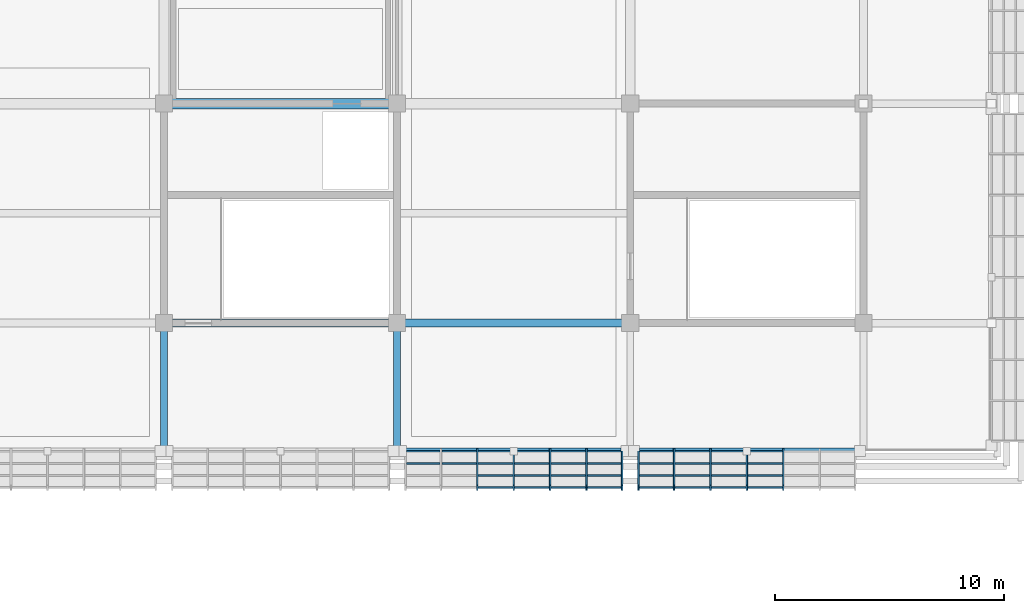
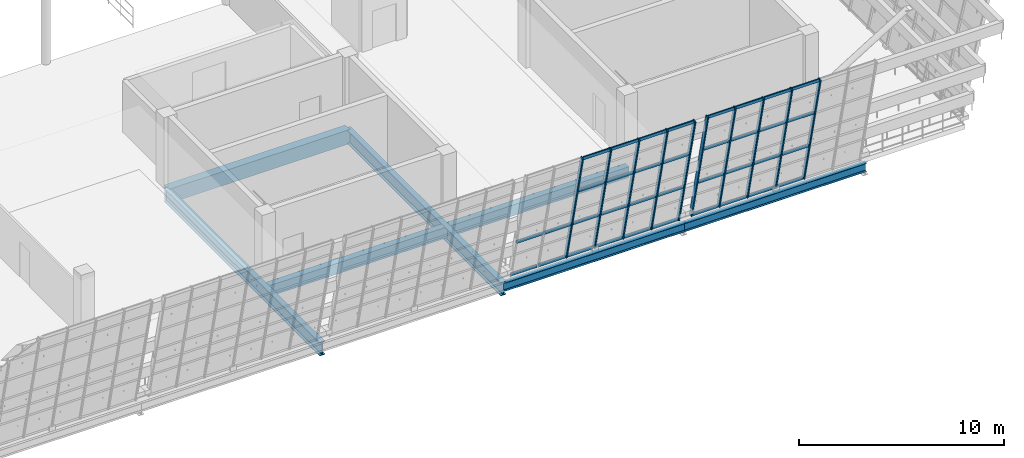
# One storey, part 64 of 157: 46 members, 7 beams, 2 elements without a shape of their own.
"""IFC4 building model written with IfcOpenShell, lengths in metres."""

from ifc_helpers import new_model, si_unit, direction, frame, origin, origin_2d, place, context, subcontext, project, spatial, rectangle, hollow_rectangle, i_section, extrude, material, material_profile, profile_set, type_object, element, aggregate, save


model = new_model("IFC4")

# Units and contexts
model_context = context("Model", 3, precision=1e-05, world=origin(), true_north=direction((0.0, 1.0)))
body_context = subcontext(model_context, "Body", "Model", "MODEL_VIEW")
ifc_project = project(units=[si_unit("LENGTHUNIT", "METRE"), si_unit("AREAUNIT", "SQUARE_METRE"), si_unit("VOLUMEUNIT", "CUBIC_METRE"), si_unit("PLANEANGLEUNIT", "RADIAN"), si_unit("MASSUNIT", "GRAM", prefix="KILO")], contexts=[model_context])

# Site, building, storey
site_placement = place(None, origin())
site = spatial("IfcSite", under=ifc_project, at=site_placement, CompositionType="ELEMENT")
building_placement = place(site_placement, origin())
building = spatial("IfcBuilding", under=site, at=building_placement, Name="Brelvane Convention Centre", CompositionType="ELEMENT")
storey_placement = place(building_placement, frame((0.0, 0.0, 10.800048828125)))
storey = spatial("IfcBuildingStorey", under=building, at=storey_placement, Name="L02", CompositionType="ELEMENT", Elevation=10.800048828125)

# Curtain wall, members
ifc_material_1 = material(Name="Anodised Aluminium Alloy 6063-T6", Category="aluminium")
curtain_wall_type = type_object("IfcCurtainWallType", Name="Curtain Wall CW-HULL-S", PredefinedType="USERDEFINED", material=ifc_material_1)
curtain_wall_1_placement = place(storey_placement, origin())
curtain_wall_1 = element("IfcCurtainWall", 1, at=curtain_wall_1_placement, inside=storey, type_object=curtain_wall_type, Name="Curtain Wall CW-HULL-S L02-HULL-S-L02-21", ObjectType="UNITISED", PredefinedType="USERDEFINED")
ifc_material_2 = material(Name="Anodised Aluminium Alloy 6063-T6", Category="aluminium")
ifc_material_profile_1 = material_profile(ifc_material_2, hollow_rectangle(XDim=0.080078125, YDim=0.239990234375, WallThickness=0.006103515625, InnerFilletRadius=0.006103515625, OuterFilletRadius=0.011962890625, at=origin_2d()), Name="ALU-M 240x80x6.0")
ifc_profile_set_1 = profile_set([ifc_material_profile_1], Name="Anodised Aluminium Alloy 6063-T6")
member_type_1 = type_object("IfcMemberType", Name="Curtain Mullion CW-M1", PredefinedType="MULLION", material=ifc_profile_set_1)
member_1_placement = place(storey_placement, frame((207.506591796875, 13.60009765625, 0.0), z_axis=(0.0, -0.228360410362, 0.973576665178), x_axis=(1.0, 0.0, 0.0)))
member_1 = element("IfcMember", 2, at=member_1_placement, type_object=member_type_1, Name="CW-HULL-S mullion 3", PredefinedType="MULLION", context=body_context, shape_type="SweptSolid", body=[
    extrude(hollow_rectangle(XDim=0.080078125, YDim=0.239990234375, WallThickness=0.006103515625, InnerFilletRadius=0.006103515625, OuterFilletRadius=0.011962890625, at=origin_2d()), origin(), (0.0, 0.0, 1.0), 7.03564453125),
])
member_2_placement = place(storey_placement, frame((209.10009765625, 13.60009765625, 0.0), z_axis=(0.0, -0.228360410362, 0.973576665178), x_axis=(1.0, 0.0, 0.0)))
member_2 = element("IfcMember", 3, at=member_2_placement, type_object=member_type_1, Name="CW-HULL-S mullion 4", PredefinedType="MULLION", context=body_context, shape_type="SweptSolid", body=[
    extrude(hollow_rectangle(XDim=0.080078125, YDim=0.239990234375, WallThickness=0.006103515625, InnerFilletRadius=0.006103515625, OuterFilletRadius=0.011962890625, at=origin_2d()), origin(), (0.0, 0.0, 1.0), 7.03564453125),
])
member_3_placement = place(storey_placement, frame((210.693359375, 13.60009765625, 0.0), z_axis=(0.0, -0.228360410362, 0.973576665178), x_axis=(1.0, 0.0, 0.0)))
member_3 = element("IfcMember", 4, at=member_3_placement, type_object=member_type_1, Name="CW-HULL-S mullion 5", PredefinedType="MULLION", context=body_context, shape_type="SweptSolid", body=[
    extrude(hollow_rectangle(XDim=0.080078125, YDim=0.239990234375, WallThickness=0.006103515625, InnerFilletRadius=0.006103515625, OuterFilletRadius=0.011962890625, at=origin_2d()), origin(), (0.0, 0.0, 1.0), 7.03564453125),
])
member_4_placement = place(storey_placement, frame((212.28662109375, 13.60009765625, 0.0), z_axis=(0.0, -0.228360410362, 0.973576665178), x_axis=(1.0, 0.0, 0.0)))
member_4 = element("IfcMember", 5, at=member_4_placement, type_object=member_type_1, Name="CW-HULL-S mullion 6", PredefinedType="MULLION", context=body_context, shape_type="SweptSolid", body=[
    extrude(hollow_rectangle(XDim=0.080078125, YDim=0.239990234375, WallThickness=0.006103515625, InnerFilletRadius=0.006103515625, OuterFilletRadius=0.011962890625, at=origin_2d()), origin(), (0.0, 0.0, 1.0), 7.03564453125),
])
member_5_placement = place(storey_placement, frame((213.840087890625, 13.60009765625, 0.0), z_axis=(0.0, -0.228360410362, 0.973576665178), x_axis=(1.0, 0.0, 0.0)))
member_5 = element("IfcMember", 6, at=member_5_placement, type_object=member_type_1, Name="CW-HULL-S mullion 7", PredefinedType="MULLION", context=body_context, shape_type="SweptSolid", body=[
    extrude(hollow_rectangle(XDim=0.080078125, YDim=0.239990234375, WallThickness=0.006103515625, InnerFilletRadius=0.006103515625, OuterFilletRadius=0.011962890625, at=origin_2d()), origin(), (0.0, 0.0, 1.0), 7.03564453125),
])

curtain_wall_2_placement = place(storey_placement, origin())
curtain_wall_2 = element("IfcCurtainWall", 7, at=curtain_wall_2_placement, inside=storey, type_object=curtain_wall_type, Name="Curtain Wall CW-HULL-S L02-HULL-S-L02-22", ObjectType="UNITISED", PredefinedType="USERDEFINED")
member_6_placement = place(storey_placement, frame((214.56005859375, 13.60009765625, 0.0), z_axis=(0.0, -0.228360410362, 0.973576665178), x_axis=(1.0, 0.0, 0.0)))
member_6 = element("IfcMember", 8, at=member_6_placement, type_object=member_type_1, Name="CW-HULL-S mullion 1", PredefinedType="MULLION", context=body_context, shape_type="SweptSolid", body=[
    extrude(hollow_rectangle(XDim=0.080078125, YDim=0.239990234375, WallThickness=0.006103515625, InnerFilletRadius=0.006103515625, OuterFilletRadius=0.011962890625, at=origin_2d()), origin(), (0.0, 0.0, 1.0), 7.03564453125),
])
member_7_placement = place(storey_placement, frame((216.11328125, 13.60009765625, 0.0), z_axis=(0.0, -0.228360410362, 0.973576665178), x_axis=(1.0, 0.0, 0.0)))
member_7 = element("IfcMember", 9, at=member_7_placement, type_object=member_type_1, Name="CW-HULL-S mullion 2", PredefinedType="MULLION", context=body_context, shape_type="SweptSolid", body=[
    extrude(hollow_rectangle(XDim=0.080078125, YDim=0.239990234375, WallThickness=0.006103515625, InnerFilletRadius=0.006103515625, OuterFilletRadius=0.011962890625, at=origin_2d()), origin(), (0.0, 0.0, 1.0), 7.03564453125),
])
member_8_placement = place(storey_placement, frame((217.706787109375, 13.60009765625, 0.0), z_axis=(0.0, -0.228360410362, 0.973576665178), x_axis=(1.0, 0.0, 0.0)))
member_8 = element("IfcMember", 10, at=member_8_placement, type_object=member_type_1, Name="CW-HULL-S mullion 3", PredefinedType="MULLION", context=body_context, shape_type="SweptSolid", body=[
    extrude(hollow_rectangle(XDim=0.080078125, YDim=0.239990234375, WallThickness=0.006103515625, InnerFilletRadius=0.006103515625, OuterFilletRadius=0.011962890625, at=origin_2d()), origin(), (0.0, 0.0, 1.0), 7.03564453125),
])
member_9_placement = place(storey_placement, frame((219.300048828125, 13.60009765625, 0.0), z_axis=(0.0, -0.228360410362, 0.973576665178), x_axis=(1.0, 0.0, 0.0)))
member_9 = element("IfcMember", 11, at=member_9_placement, type_object=member_type_1, Name="CW-HULL-S mullion 4", PredefinedType="MULLION", context=body_context, shape_type="SweptSolid", body=[
    extrude(hollow_rectangle(XDim=0.080078125, YDim=0.239990234375, WallThickness=0.006103515625, InnerFilletRadius=0.006103515625, OuterFilletRadius=0.011962890625, at=origin_2d()), origin(), (0.0, 0.0, 1.0), 7.03564453125),
])
member_10_placement = place(storey_placement, frame((220.893310546875, 13.60009765625, 0.0), z_axis=(0.0, -0.228360410362, 0.973576665178), x_axis=(1.0, 0.0, 0.0)))
member_10 = element("IfcMember", 12, at=member_10_placement, type_object=member_type_1, Name="CW-HULL-S mullion 5", PredefinedType="MULLION", context=body_context, shape_type="SweptSolid", body=[
    extrude(hollow_rectangle(XDim=0.080078125, YDim=0.239990234375, WallThickness=0.006103515625, InnerFilletRadius=0.006103515625, OuterFilletRadius=0.011962890625, at=origin_2d()), origin(), (0.0, 0.0, 1.0), 7.03564453125),
])

# Member
ifc_material_3 = material(Name="Anodised Aluminium Alloy 6063-T6", Category="aluminium")
ifc_material_profile_2 = material_profile(ifc_material_3, hollow_rectangle(XDim=0.080078125, YDim=0.179931640625, WallThickness=0.0048828125, InnerFilletRadius=0.0048828125, OuterFilletRadius=0.010009765625, at=origin_2d()), Name="ALU-T 180x80x5.0")
ifc_profile_set_2 = profile_set([ifc_material_profile_2], Name="Anodised Aluminium Alloy 6063-T6")
member_type_2 = type_object("IfcMemberType", Name="Curtain Transom CW-T1", PredefinedType="USERDEFINED", material=ifc_profile_set_2)
member_11_placement = place(storey_placement, frame((204.39990234375, 13.590576171875, 0.0400390625), z_axis=(1.0, 0.0, 0.0), x_axis=(0.0, 1.0, 0.0)))
member_11 = element("IfcMember", 13, at=member_11_placement, type_object=member_type_2, Name="CW-HULL-S transom 1.1", ObjectType="TRANSOM", PredefinedType="USERDEFINED", context=body_context, shape_type="SweptSolid", body=[
    extrude(hollow_rectangle(XDim=0.080078125, YDim=0.179931640625, WallThickness=0.0048828125, InnerFilletRadius=0.0048828125, OuterFilletRadius=0.010009765625, at=origin_2d()), origin(), (0.0, 0.0, 1.0), 1.473388671875),
])

member_12_placement = place(storey_placement, frame((204.39990234375, 13.064453125, 2.283203125), z_axis=(1.0, 0.0, 0.0), x_axis=(0.0, 1.0, 0.0)))
member_12 = element("IfcMember", 14, at=member_12_placement, type_object=member_type_2, Name="CW-HULL-S transom 1.2", ObjectType="TRANSOM", PredefinedType="USERDEFINED", context=body_context, shape_type="SweptSolid", body=[
    extrude(hollow_rectangle(XDim=0.080078125, YDim=0.179931640625, WallThickness=0.0048828125, InnerFilletRadius=0.0048828125, OuterFilletRadius=0.010009765625, at=origin_2d()), origin(), (0.0, 0.0, 1.0), 1.473388671875),
])

member_13_placement = place(storey_placement, frame((205.953369140625, 13.590576171875, 0.0400390625), z_axis=(1.0, 0.0, 0.0), x_axis=(0.0, 1.0, 0.0)))
member_13 = element("IfcMember", 15, at=member_13_placement, type_object=member_type_2, Name="CW-HULL-S transom 2.1", ObjectType="TRANSOM", PredefinedType="USERDEFINED", context=body_context, shape_type="SweptSolid", body=[
    extrude(hollow_rectangle(XDim=0.080078125, YDim=0.179931640625, WallThickness=0.0048828125, InnerFilletRadius=0.0048828125, OuterFilletRadius=0.010009765625, at=origin_2d()), origin(), (0.0, 0.0, 1.0), 1.51318359375),
])

member_14_placement = place(storey_placement, frame((205.953369140625, 13.064453125, 2.283203125), z_axis=(1.0, 0.0, 0.0), x_axis=(0.0, 1.0, 0.0)))
member_14 = element("IfcMember", 16, at=member_14_placement, type_object=member_type_2, Name="CW-HULL-S transom 2.2", ObjectType="TRANSOM", PredefinedType="USERDEFINED", context=body_context, shape_type="SweptSolid", body=[
    extrude(hollow_rectangle(XDim=0.080078125, YDim=0.179931640625, WallThickness=0.0048828125, InnerFilletRadius=0.0048828125, OuterFilletRadius=0.010009765625, at=origin_2d()), origin(), (0.0, 0.0, 1.0), 1.51318359375),
])

member_15_placement = place(storey_placement, frame((207.546630859375, 13.590576171875, 0.0400390625), z_axis=(1.0, 0.0, 0.0), x_axis=(0.0, 1.0, 0.0)))
member_15 = element("IfcMember", 17, at=member_15_placement, type_object=member_type_2, Name="CW-HULL-S transom 3.1", ObjectType="TRANSOM", PredefinedType="USERDEFINED", context=body_context, shape_type="SweptSolid", body=[
    extrude(hollow_rectangle(XDim=0.080078125, YDim=0.179931640625, WallThickness=0.0048828125, InnerFilletRadius=0.0048828125, OuterFilletRadius=0.010009765625, at=origin_2d()), origin(), (0.0, 0.0, 1.0), 1.513427734375),
])

member_16_placement = place(storey_placement, frame((207.546630859375, 13.064453125, 2.283203125), z_axis=(1.0, 0.0, 0.0), x_axis=(0.0, 1.0, 0.0)))
member_16 = element("IfcMember", 18, at=member_16_placement, type_object=member_type_2, Name="CW-HULL-S transom 3.2", ObjectType="TRANSOM", PredefinedType="USERDEFINED", context=body_context, shape_type="SweptSolid", body=[
    extrude(hollow_rectangle(XDim=0.080078125, YDim=0.179931640625, WallThickness=0.0048828125, InnerFilletRadius=0.0048828125, OuterFilletRadius=0.010009765625, at=origin_2d()), origin(), (0.0, 0.0, 1.0), 1.513427734375),
])

member_17_placement = place(storey_placement, frame((207.546630859375, 12.52880859375, 4.566650390625), z_axis=(1.0, 0.0, 0.0), x_axis=(0.0, 1.0, 0.0)))
member_17 = element("IfcMember", 19, at=member_17_placement, type_object=member_type_2, Name="CW-HULL-S transom 3.3", ObjectType="TRANSOM", PredefinedType="USERDEFINED", context=body_context, shape_type="SweptSolid", body=[
    extrude(hollow_rectangle(XDim=0.080078125, YDim=0.179931640625, WallThickness=0.0048828125, InnerFilletRadius=0.0048828125, OuterFilletRadius=0.010009765625, at=origin_2d()), origin(), (0.0, 0.0, 1.0), 1.513427734375),
])

member_18_placement = place(storey_placement, frame((207.546630859375, 12.002685546875, 6.81005859375), z_axis=(1.0, 0.0, 0.0), x_axis=(0.0, 1.0, 0.0)))
member_18 = element("IfcMember", 20, at=member_18_placement, type_object=member_type_2, Name="CW-HULL-S transom 3.4", ObjectType="TRANSOM", PredefinedType="USERDEFINED", context=body_context, shape_type="SweptSolid", body=[
    extrude(hollow_rectangle(XDim=0.080078125, YDim=0.179931640625, WallThickness=0.0048828125, InnerFilletRadius=0.0048828125, OuterFilletRadius=0.010009765625, at=origin_2d()), origin(), (0.0, 0.0, 1.0), 1.513427734375),
])

member_19_placement = place(storey_placement, frame((209.139892578125, 13.590576171875, 0.0400390625), z_axis=(1.0, 0.0, 0.0), x_axis=(0.0, 1.0, 0.0)))
member_19 = element("IfcMember", 21, at=member_19_placement, type_object=member_type_2, Name="CW-HULL-S transom 4.1", ObjectType="TRANSOM", PredefinedType="USERDEFINED", context=body_context, shape_type="SweptSolid", body=[
    extrude(hollow_rectangle(XDim=0.080078125, YDim=0.179931640625, WallThickness=0.0048828125, InnerFilletRadius=0.0048828125, OuterFilletRadius=0.010009765625, at=origin_2d()), origin(), (0.0, 0.0, 1.0), 1.513427734375),
])

member_20_placement = place(storey_placement, frame((209.139892578125, 13.064453125, 2.283203125), z_axis=(1.0, 0.0, 0.0), x_axis=(0.0, 1.0, 0.0)))
member_20 = element("IfcMember", 22, at=member_20_placement, type_object=member_type_2, Name="CW-HULL-S transom 4.2", ObjectType="TRANSOM", PredefinedType="USERDEFINED", context=body_context, shape_type="SweptSolid", body=[
    extrude(hollow_rectangle(XDim=0.080078125, YDim=0.179931640625, WallThickness=0.0048828125, InnerFilletRadius=0.0048828125, OuterFilletRadius=0.010009765625, at=origin_2d()), origin(), (0.0, 0.0, 1.0), 1.513427734375),
])

member_21_placement = place(storey_placement, frame((209.139892578125, 12.52880859375, 4.566650390625), z_axis=(1.0, 0.0, 0.0), x_axis=(0.0, 1.0, 0.0)))
member_21 = element("IfcMember", 23, at=member_21_placement, type_object=member_type_2, Name="CW-HULL-S transom 4.3", ObjectType="TRANSOM", PredefinedType="USERDEFINED", context=body_context, shape_type="SweptSolid", body=[
    extrude(hollow_rectangle(XDim=0.080078125, YDim=0.179931640625, WallThickness=0.0048828125, InnerFilletRadius=0.0048828125, OuterFilletRadius=0.010009765625, at=origin_2d()), origin(), (0.0, 0.0, 1.0), 1.513427734375),
])

member_22_placement = place(storey_placement, frame((209.139892578125, 12.002685546875, 6.81005859375), z_axis=(1.0, 0.0, 0.0), x_axis=(0.0, 1.0, 0.0)))
member_22 = element("IfcMember", 24, at=member_22_placement, type_object=member_type_2, Name="CW-HULL-S transom 4.4", ObjectType="TRANSOM", PredefinedType="USERDEFINED", context=body_context, shape_type="SweptSolid", body=[
    extrude(hollow_rectangle(XDim=0.080078125, YDim=0.179931640625, WallThickness=0.0048828125, InnerFilletRadius=0.0048828125, OuterFilletRadius=0.010009765625, at=origin_2d()), origin(), (0.0, 0.0, 1.0), 1.513427734375),
])

member_23_placement = place(storey_placement, frame((210.7333984375, 13.590576171875, 0.0400390625), z_axis=(1.0, 0.0, 0.0), x_axis=(0.0, 1.0, 0.0)))
member_23 = element("IfcMember", 25, at=member_23_placement, type_object=member_type_2, Name="CW-HULL-S transom 5.1", ObjectType="TRANSOM", PredefinedType="USERDEFINED", context=body_context, shape_type="SweptSolid", body=[
    extrude(hollow_rectangle(XDim=0.080078125, YDim=0.179931640625, WallThickness=0.0048828125, InnerFilletRadius=0.0048828125, OuterFilletRadius=0.010009765625, at=origin_2d()), origin(), (0.0, 0.0, 1.0), 1.51318359375),
])

member_24_placement = place(storey_placement, frame((210.7333984375, 13.064453125, 2.283203125), z_axis=(1.0, 0.0, 0.0), x_axis=(0.0, 1.0, 0.0)))
member_24 = element("IfcMember", 26, at=member_24_placement, type_object=member_type_2, Name="CW-HULL-S transom 5.2", ObjectType="TRANSOM", PredefinedType="USERDEFINED", context=body_context, shape_type="SweptSolid", body=[
    extrude(hollow_rectangle(XDim=0.080078125, YDim=0.179931640625, WallThickness=0.0048828125, InnerFilletRadius=0.0048828125, OuterFilletRadius=0.010009765625, at=origin_2d()), origin(), (0.0, 0.0, 1.0), 1.51318359375),
])

member_25_placement = place(storey_placement, frame((210.7333984375, 12.52880859375, 4.566650390625), z_axis=(1.0, 0.0, 0.0), x_axis=(0.0, 1.0, 0.0)))
member_25 = element("IfcMember", 27, at=member_25_placement, type_object=member_type_2, Name="CW-HULL-S transom 5.3", ObjectType="TRANSOM", PredefinedType="USERDEFINED", context=body_context, shape_type="SweptSolid", body=[
    extrude(hollow_rectangle(XDim=0.080078125, YDim=0.179931640625, WallThickness=0.0048828125, InnerFilletRadius=0.0048828125, OuterFilletRadius=0.010009765625, at=origin_2d()), origin(), (0.0, 0.0, 1.0), 1.51318359375),
])

member_26_placement = place(storey_placement, frame((210.7333984375, 12.002685546875, 6.81005859375), z_axis=(1.0, 0.0, 0.0), x_axis=(0.0, 1.0, 0.0)))
member_26 = element("IfcMember", 28, at=member_26_placement, type_object=member_type_2, Name="CW-HULL-S transom 5.4", ObjectType="TRANSOM", PredefinedType="USERDEFINED", context=body_context, shape_type="SweptSolid", body=[
    extrude(hollow_rectangle(XDim=0.080078125, YDim=0.179931640625, WallThickness=0.0048828125, InnerFilletRadius=0.0048828125, OuterFilletRadius=0.010009765625, at=origin_2d()), origin(), (0.0, 0.0, 1.0), 1.51318359375),
])

member_27_placement = place(storey_placement, frame((212.32666015625, 13.590576171875, 0.0400390625), z_axis=(1.0, 0.0, 0.0), x_axis=(0.0, 1.0, 0.0)))
member_27 = element("IfcMember", 29, at=member_27_placement, type_object=member_type_2, Name="CW-HULL-S transom 6.1", ObjectType="TRANSOM", PredefinedType="USERDEFINED", context=body_context, shape_type="SweptSolid", body=[
    extrude(hollow_rectangle(XDim=0.080078125, YDim=0.179931640625, WallThickness=0.0048828125, InnerFilletRadius=0.0048828125, OuterFilletRadius=0.010009765625, at=origin_2d()), origin(), (0.0, 0.0, 1.0), 1.473388671875),
])

member_28_placement = place(storey_placement, frame((212.32666015625, 13.064453125, 2.283203125), z_axis=(1.0, 0.0, 0.0), x_axis=(0.0, 1.0, 0.0)))
member_28 = element("IfcMember", 30, at=member_28_placement, type_object=member_type_2, Name="CW-HULL-S transom 6.2", ObjectType="TRANSOM", PredefinedType="USERDEFINED", context=body_context, shape_type="SweptSolid", body=[
    extrude(hollow_rectangle(XDim=0.080078125, YDim=0.179931640625, WallThickness=0.0048828125, InnerFilletRadius=0.0048828125, OuterFilletRadius=0.010009765625, at=origin_2d()), origin(), (0.0, 0.0, 1.0), 1.473388671875),
])

member_29_placement = place(storey_placement, frame((212.32666015625, 12.52880859375, 4.566650390625), z_axis=(1.0, 0.0, 0.0), x_axis=(0.0, 1.0, 0.0)))
member_29 = element("IfcMember", 31, at=member_29_placement, type_object=member_type_2, Name="CW-HULL-S transom 6.3", ObjectType="TRANSOM", PredefinedType="USERDEFINED", context=body_context, shape_type="SweptSolid", body=[
    extrude(hollow_rectangle(XDim=0.080078125, YDim=0.179931640625, WallThickness=0.0048828125, InnerFilletRadius=0.0048828125, OuterFilletRadius=0.010009765625, at=origin_2d()), origin(), (0.0, 0.0, 1.0), 1.473388671875),
])

member_30_placement = place(storey_placement, frame((212.32666015625, 12.002685546875, 6.81005859375), z_axis=(1.0, 0.0, 0.0), x_axis=(0.0, 1.0, 0.0)))
member_30 = element("IfcMember", 32, at=member_30_placement, type_object=member_type_2, Name="CW-HULL-S transom 6.4", ObjectType="TRANSOM", PredefinedType="USERDEFINED", context=body_context, shape_type="SweptSolid", body=[
    extrude(hollow_rectangle(XDim=0.080078125, YDim=0.179931640625, WallThickness=0.0048828125, InnerFilletRadius=0.0048828125, OuterFilletRadius=0.010009765625, at=origin_2d()), origin(), (0.0, 0.0, 1.0), 1.473388671875),
])

aggregate(curtain_wall_1, [member_1, member_2, member_3, member_4, member_5, member_11, member_12, member_13, member_14, member_15, member_16, member_17, member_18, member_19, member_20, member_21, member_22, member_23, member_24, member_25, member_26, member_27, member_28, member_29, member_30])

member_31_placement = place(storey_placement, frame((214.60009765625, 13.590576171875, 0.0400390625), z_axis=(1.0, 0.0, 0.0), x_axis=(0.0, 1.0, 0.0)))
member_31 = element("IfcMember", 33, at=member_31_placement, type_object=member_type_2, Name="CW-HULL-S transom 1.1", ObjectType="TRANSOM", PredefinedType="USERDEFINED", context=body_context, shape_type="SweptSolid", body=[
    extrude(hollow_rectangle(XDim=0.080078125, YDim=0.179931640625, WallThickness=0.0048828125, InnerFilletRadius=0.0048828125, OuterFilletRadius=0.010009765625, at=origin_2d()), origin(), (0.0, 0.0, 1.0), 1.47314453125),
])

member_32_placement = place(storey_placement, frame((214.60009765625, 13.064453125, 2.283203125), z_axis=(1.0, 0.0, 0.0), x_axis=(0.0, 1.0, 0.0)))
member_32 = element("IfcMember", 34, at=member_32_placement, type_object=member_type_2, Name="CW-HULL-S transom 1.2", ObjectType="TRANSOM", PredefinedType="USERDEFINED", context=body_context, shape_type="SweptSolid", body=[
    extrude(hollow_rectangle(XDim=0.080078125, YDim=0.179931640625, WallThickness=0.0048828125, InnerFilletRadius=0.0048828125, OuterFilletRadius=0.010009765625, at=origin_2d()), origin(), (0.0, 0.0, 1.0), 1.47314453125),
])

member_33_placement = place(storey_placement, frame((214.60009765625, 12.52880859375, 4.566650390625), z_axis=(1.0, 0.0, 0.0), x_axis=(0.0, 1.0, 0.0)))
member_33 = element("IfcMember", 35, at=member_33_placement, type_object=member_type_2, Name="CW-HULL-S transom 1.3", ObjectType="TRANSOM", PredefinedType="USERDEFINED", context=body_context, shape_type="SweptSolid", body=[
    extrude(hollow_rectangle(XDim=0.080078125, YDim=0.179931640625, WallThickness=0.0048828125, InnerFilletRadius=0.0048828125, OuterFilletRadius=0.010009765625, at=origin_2d()), origin(), (0.0, 0.0, 1.0), 1.47314453125),
])

member_34_placement = place(storey_placement, frame((214.60009765625, 12.002685546875, 6.81005859375), z_axis=(1.0, 0.0, 0.0), x_axis=(0.0, 1.0, 0.0)))
member_34 = element("IfcMember", 36, at=member_34_placement, type_object=member_type_2, Name="CW-HULL-S transom 1.4", ObjectType="TRANSOM", PredefinedType="USERDEFINED", context=body_context, shape_type="SweptSolid", body=[
    extrude(hollow_rectangle(XDim=0.080078125, YDim=0.179931640625, WallThickness=0.0048828125, InnerFilletRadius=0.0048828125, OuterFilletRadius=0.010009765625, at=origin_2d()), origin(), (0.0, 0.0, 1.0), 1.47314453125),
])

member_35_placement = place(storey_placement, frame((216.1533203125, 13.590576171875, 0.0400390625), z_axis=(1.0, 0.0, 0.0), x_axis=(0.0, 1.0, 0.0)))
member_35 = element("IfcMember", 37, at=member_35_placement, type_object=member_type_2, Name="CW-HULL-S transom 2.1", ObjectType="TRANSOM", PredefinedType="USERDEFINED", context=body_context, shape_type="SweptSolid", body=[
    extrude(hollow_rectangle(XDim=0.080078125, YDim=0.179931640625, WallThickness=0.0048828125, InnerFilletRadius=0.0048828125, OuterFilletRadius=0.010009765625, at=origin_2d()), origin(), (0.0, 0.0, 1.0), 1.513427734375),
])

member_36_placement = place(storey_placement, frame((216.1533203125, 13.064453125, 2.283203125), z_axis=(1.0, 0.0, 0.0), x_axis=(0.0, 1.0, 0.0)))
member_36 = element("IfcMember", 38, at=member_36_placement, type_object=member_type_2, Name="CW-HULL-S transom 2.2", ObjectType="TRANSOM", PredefinedType="USERDEFINED", context=body_context, shape_type="SweptSolid", body=[
    extrude(hollow_rectangle(XDim=0.080078125, YDim=0.179931640625, WallThickness=0.0048828125, InnerFilletRadius=0.0048828125, OuterFilletRadius=0.010009765625, at=origin_2d()), origin(), (0.0, 0.0, 1.0), 1.513427734375),
])

member_37_placement = place(storey_placement, frame((216.1533203125, 12.52880859375, 4.566650390625), z_axis=(1.0, 0.0, 0.0), x_axis=(0.0, 1.0, 0.0)))
member_37 = element("IfcMember", 39, at=member_37_placement, type_object=member_type_2, Name="CW-HULL-S transom 2.3", ObjectType="TRANSOM", PredefinedType="USERDEFINED", context=body_context, shape_type="SweptSolid", body=[
    extrude(hollow_rectangle(XDim=0.080078125, YDim=0.179931640625, WallThickness=0.0048828125, InnerFilletRadius=0.0048828125, OuterFilletRadius=0.010009765625, at=origin_2d()), origin(), (0.0, 0.0, 1.0), 1.513427734375),
])

member_38_placement = place(storey_placement, frame((216.1533203125, 12.002685546875, 6.81005859375), z_axis=(1.0, 0.0, 0.0), x_axis=(0.0, 1.0, 0.0)))
member_38 = element("IfcMember", 40, at=member_38_placement, type_object=member_type_2, Name="CW-HULL-S transom 2.4", ObjectType="TRANSOM", PredefinedType="USERDEFINED", context=body_context, shape_type="SweptSolid", body=[
    extrude(hollow_rectangle(XDim=0.080078125, YDim=0.179931640625, WallThickness=0.0048828125, InnerFilletRadius=0.0048828125, OuterFilletRadius=0.010009765625, at=origin_2d()), origin(), (0.0, 0.0, 1.0), 1.513427734375),
])

member_39_placement = place(storey_placement, frame((217.74658203125, 13.590576171875, 0.0400390625), z_axis=(1.0, 0.0, 0.0), x_axis=(0.0, 1.0, 0.0)))
member_39 = element("IfcMember", 41, at=member_39_placement, type_object=member_type_2, Name="CW-HULL-S transom 3.1", ObjectType="TRANSOM", PredefinedType="USERDEFINED", context=body_context, shape_type="SweptSolid", body=[
    extrude(hollow_rectangle(XDim=0.080078125, YDim=0.179931640625, WallThickness=0.0048828125, InnerFilletRadius=0.0048828125, OuterFilletRadius=0.010009765625, at=origin_2d()), origin(), (0.0, 0.0, 1.0), 1.513427734375),
])

member_40_placement = place(storey_placement, frame((217.74658203125, 13.064453125, 2.283203125), z_axis=(1.0, 0.0, 0.0), x_axis=(0.0, 1.0, 0.0)))
member_40 = element("IfcMember", 42, at=member_40_placement, type_object=member_type_2, Name="CW-HULL-S transom 3.2", ObjectType="TRANSOM", PredefinedType="USERDEFINED", context=body_context, shape_type="SweptSolid", body=[
    extrude(hollow_rectangle(XDim=0.080078125, YDim=0.179931640625, WallThickness=0.0048828125, InnerFilletRadius=0.0048828125, OuterFilletRadius=0.010009765625, at=origin_2d()), origin(), (0.0, 0.0, 1.0), 1.513427734375),
])

member_41_placement = place(storey_placement, frame((217.74658203125, 12.52880859375, 4.566650390625), z_axis=(1.0, 0.0, 0.0), x_axis=(0.0, 1.0, 0.0)))
member_41 = element("IfcMember", 43, at=member_41_placement, type_object=member_type_2, Name="CW-HULL-S transom 3.3", ObjectType="TRANSOM", PredefinedType="USERDEFINED", context=body_context, shape_type="SweptSolid", body=[
    extrude(hollow_rectangle(XDim=0.080078125, YDim=0.179931640625, WallThickness=0.0048828125, InnerFilletRadius=0.0048828125, OuterFilletRadius=0.010009765625, at=origin_2d()), origin(), (0.0, 0.0, 1.0), 1.513427734375),
])

member_42_placement = place(storey_placement, frame((217.74658203125, 12.002685546875, 6.81005859375), z_axis=(1.0, 0.0, 0.0), x_axis=(0.0, 1.0, 0.0)))
member_42 = element("IfcMember", 44, at=member_42_placement, type_object=member_type_2, Name="CW-HULL-S transom 3.4", ObjectType="TRANSOM", PredefinedType="USERDEFINED", context=body_context, shape_type="SweptSolid", body=[
    extrude(hollow_rectangle(XDim=0.080078125, YDim=0.179931640625, WallThickness=0.0048828125, InnerFilletRadius=0.0048828125, OuterFilletRadius=0.010009765625, at=origin_2d()), origin(), (0.0, 0.0, 1.0), 1.513427734375),
])

member_43_placement = place(storey_placement, frame((219.340087890625, 13.590576171875, 0.0400390625), z_axis=(1.0, 0.0, 0.0), x_axis=(0.0, 1.0, 0.0)))
member_43 = element("IfcMember", 45, at=member_43_placement, type_object=member_type_2, Name="CW-HULL-S transom 4.1", ObjectType="TRANSOM", PredefinedType="USERDEFINED", context=body_context, shape_type="SweptSolid", body=[
    extrude(hollow_rectangle(XDim=0.080078125, YDim=0.179931640625, WallThickness=0.0048828125, InnerFilletRadius=0.0048828125, OuterFilletRadius=0.010009765625, at=origin_2d()), origin(), (0.0, 0.0, 1.0), 1.51318359375),
])

member_44_placement = place(storey_placement, frame((219.340087890625, 13.064453125, 2.283203125), z_axis=(1.0, 0.0, 0.0), x_axis=(0.0, 1.0, 0.0)))
member_44 = element("IfcMember", 46, at=member_44_placement, type_object=member_type_2, Name="CW-HULL-S transom 4.2", ObjectType="TRANSOM", PredefinedType="USERDEFINED", context=body_context, shape_type="SweptSolid", body=[
    extrude(hollow_rectangle(XDim=0.080078125, YDim=0.179931640625, WallThickness=0.0048828125, InnerFilletRadius=0.0048828125, OuterFilletRadius=0.010009765625, at=origin_2d()), origin(), (0.0, 0.0, 1.0), 1.51318359375),
])

member_45_placement = place(storey_placement, frame((219.340087890625, 12.52880859375, 4.566650390625), z_axis=(1.0, 0.0, 0.0), x_axis=(0.0, 1.0, 0.0)))
member_45 = element("IfcMember", 47, at=member_45_placement, type_object=member_type_2, Name="CW-HULL-S transom 4.3", ObjectType="TRANSOM", PredefinedType="USERDEFINED", context=body_context, shape_type="SweptSolid", body=[
    extrude(hollow_rectangle(XDim=0.080078125, YDim=0.179931640625, WallThickness=0.0048828125, InnerFilletRadius=0.0048828125, OuterFilletRadius=0.010009765625, at=origin_2d()), origin(), (0.0, 0.0, 1.0), 1.51318359375),
])

member_46_placement = place(storey_placement, frame((219.340087890625, 12.002685546875, 6.81005859375), z_axis=(1.0, 0.0, 0.0), x_axis=(0.0, 1.0, 0.0)))
member_46 = element("IfcMember", 48, at=member_46_placement, type_object=member_type_2, Name="CW-HULL-S transom 4.4", ObjectType="TRANSOM", PredefinedType="USERDEFINED", context=body_context, shape_type="SweptSolid", body=[
    extrude(hollow_rectangle(XDim=0.080078125, YDim=0.179931640625, WallThickness=0.0048828125, InnerFilletRadius=0.0048828125, OuterFilletRadius=0.010009765625, at=origin_2d()), origin(), (0.0, 0.0, 1.0), 1.51318359375),
])

aggregate(curtain_wall_2, [member_6, member_7, member_8, member_9, member_10, member_31, member_32, member_33, member_34, member_35, member_36, member_37, member_38, member_39, member_40, member_41, member_42, member_43, member_44, member_45, member_46])

# Beams
ifc_material_4 = material(Name="Concrete M40", Category="concrete")
ifc_material_profile_3 = material_profile(ifc_material_4, rectangle(XDim=0.4599609375, YDim=0.840087890625, at=origin_2d()), Name="RC 460x840")
ifc_profile_set_3 = profile_set([ifc_material_profile_3], Name="Concrete M40")
beam_type_1 = type_object("IfcBeamType", Name="RC Beam B-RC11 (RC 460x840)", PredefinedType="BEAM", material=ifc_profile_set_3)
beam_placement = place(storey_placement, frame((193.800048828125, 28.800048828125, -0.699951171875), z_axis=(1.0, 0.0, 0.0), x_axis=(0.0, 1.0, 0.0)))
element("IfcBeam", 49, at=beam_placement, inside=storey, type_object=beam_type_1, Name="L02 Beam 20-21/D", PredefinedType="BEAM", context=body_context, shape_type="SweptSolid", body=[
    extrude(rectangle(XDim=0.4599609375, YDim=0.840087890625, at=origin_2d()), origin(), (0.0, 0.0, 1.0), 10.199951171875),
])
ifc_material_5 = material(Name="Concrete M40", Category="concrete")
ifc_material_profile_4 = material_profile(ifc_material_5, rectangle(XDim=0.360107421875, YDim=0.639892578125, at=origin_2d()), Name="RC 360x640")
ifc_profile_set_4 = profile_set([ifc_material_profile_4], Name="Concrete M40")
beam_type_2 = type_object("IfcBeamType", Name="RC Spandrel SP-RC3 (RC 360x640)", PredefinedType="SPANDREL", material=ifc_profile_set_4)
for number, where, z_axis, x_axis, name in (
    (50, (193.800048828125, 19.199951171875, -0.60009765625), (1.0, 0.0, 0.0), (0.0, 1.0, 0.0), "L02 Beam 20-21/C"),
    (51, (204.0, 19.199951171875, -0.60009765625), (1.0, 0.0, 0.0), (0.0, 1.0, 0.0), "L02 Beam 21-22/C"),
):
    element("IfcBeam", number, at=place(storey_placement, frame(where, z_axis=z_axis, x_axis=x_axis)), inside=storey, type_object=beam_type_2, Name=name, PredefinedType="SPANDREL", context=body_context, shape_type="SweptSolid", body=[
        extrude(rectangle(XDim=0.360107421875, YDim=0.639892578125, at=origin_2d()), origin(), (0.0, 0.0, 1.0), 10.199951171875),
    ])
ifc_material_6 = material(Name="Steel E450 (450 MPa)", Category="steel")
ifc_material_profile_5 = material_profile(ifc_material_6, i_section(OverallWidth=0.300048828125, OverallDepth=0.800048828125, WebThickness=0.015380859375, FlangeThickness=0.030029296875, FilletRadius=0.027099609375, at=origin_2d()), Name="NPB 800x300")
ifc_profile_set_5 = profile_set([ifc_material_profile_5], Name="Steel E450 (450 MPa)")
beam_type_3 = type_object("IfcBeamType", Name="Steel Beam B-ST2 (NPB 800x300)", PredefinedType="BEAM", material=ifc_profile_set_5)
for number, where, z_axis, x_axis, name in (
    (52, (193.800048828125, 13.60009765625, -0.679931640625), (0.0, 1.0, 0.0), (-1.0, 0.0, 0.0), "L02 Hull Cantilever Girder 20"),
    (53, (204.0, 13.60009765625, -0.679931640625), (0.0, 1.0, 0.0), (-1.0, 0.0, 0.0), "L02 Hull Cantilever Girder 21"),
):
    element("IfcBeam", number, at=place(storey_placement, frame(where, z_axis=z_axis, x_axis=x_axis)), inside=storey, type_object=beam_type_3, Name=name, PredefinedType="BEAM", context=body_context, shape_type="SweptSolid", body=[
        extrude(i_section(OverallWidth=0.300048828125, OverallDepth=0.800048828125, WebThickness=0.015380859375, FlangeThickness=0.030029296875, FilletRadius=0.027099609375, at=origin_2d()), origin(), (0.0, 0.0, 1.0), 15.199951171875),
    ])
ifc_material_7 = material(Name="Steel E350 (350 MPa)", Category="steel")
ifc_material_profile_6 = material_profile(ifc_material_7, i_section(OverallWidth=0.25, OverallDepth=0.5, WebThickness=0.010009765625, FlangeThickness=0.0146484375, FilletRadius=0.01611328125, at=origin_2d()), Name="ISWB 500")
ifc_profile_set_6 = profile_set([ifc_material_profile_6], Name="Steel E350 (350 MPa)")
beam_type_4 = type_object("IfcBeamType", Name="Steel Spandrel SP-ST1 (ISWB 500)", PredefinedType="SPANDREL", material=ifc_profile_set_6)
for number, where, z_axis, x_axis, name in (
    (54, (204.0, 13.60009765625, -0.530029296875), (1.0, 0.0, 0.0), (0.0, 1.0, 0.0), "L02 Hull Overhang Edge Spandrel 21"),
    (55, (214.199951171875, 13.60009765625, -0.530029296875), (1.0, 0.0, 0.0), (0.0, 1.0, 0.0), "L02 Hull Overhang Edge Spandrel 22"),
):
    element("IfcBeam", number, at=place(storey_placement, frame(where, z_axis=z_axis, x_axis=x_axis)), inside=storey, type_object=beam_type_4, Name=name, PredefinedType="SPANDREL", context=body_context, shape_type="SweptSolid", body=[
        extrude(i_section(OverallWidth=0.25, OverallDepth=0.5, WebThickness=0.010009765625, FlangeThickness=0.0146484375, FilletRadius=0.01611328125, at=origin_2d()), origin(), (0.0, 0.0, 1.0), 10.199951171875),
    ])

save(model, "model.ifc")
